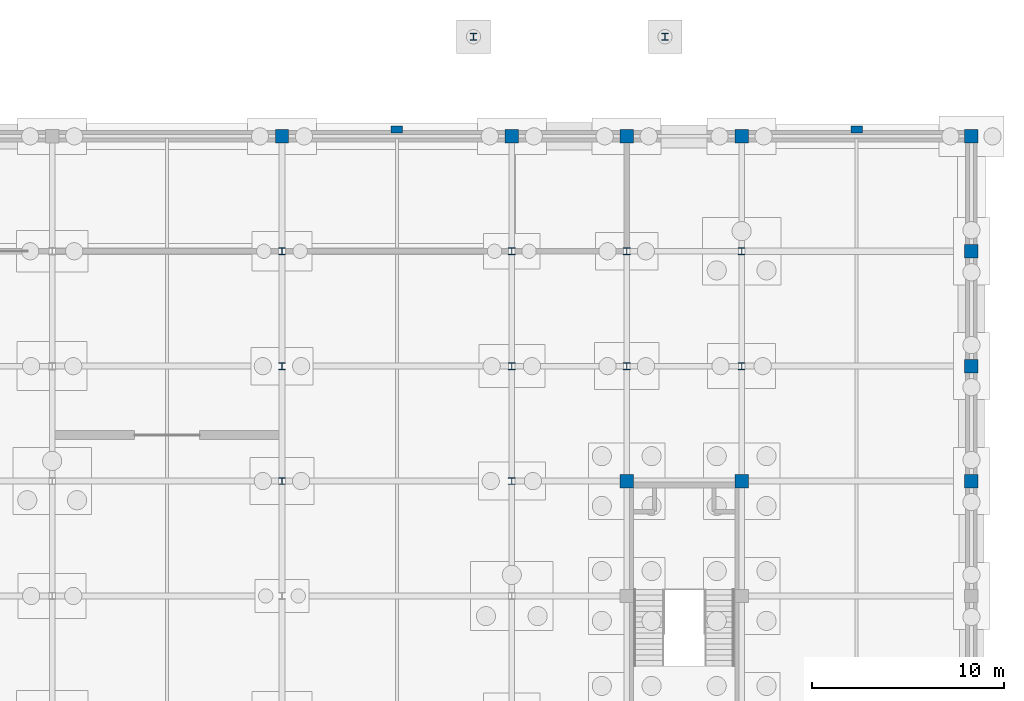
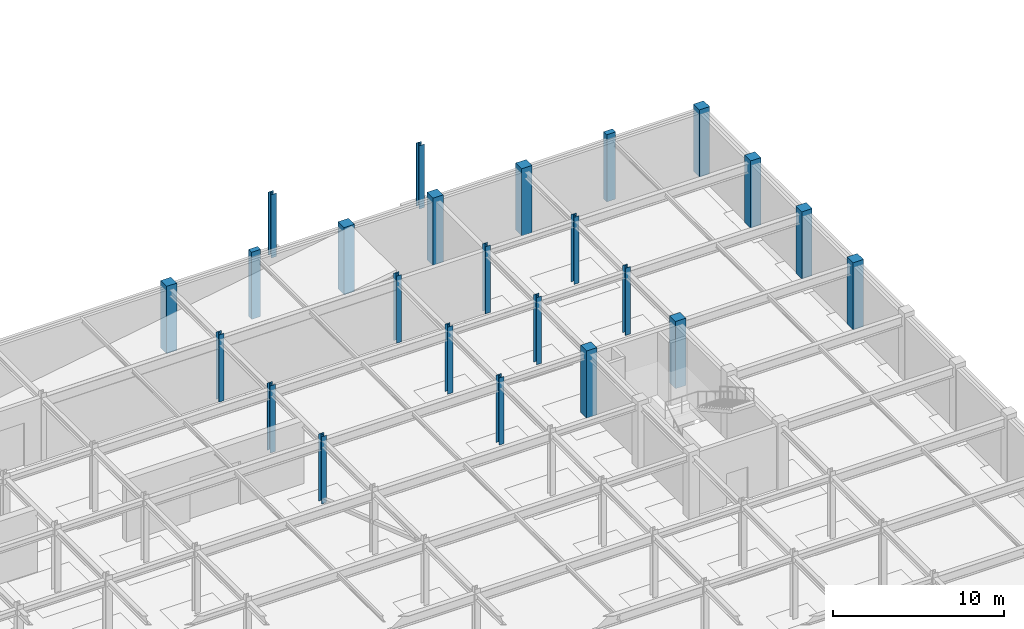
# One storey, part 33 of 69: 24 columns.
"""IFC4 building model written with IfcOpenShell, lengths in metres."""

from ifc_helpers import new_model, si_unit, direction, frame, origin, origin_2d, place, context, subcontext, project, spatial, rectangle, i_section, extrude, material, material_profile, profile_set, type_object, element, save


model = new_model("IFC4")

# Units and contexts
model_context = context("Model", 3, precision=1e-05, world=origin(), true_north=direction((0.0, 1.0)))
body_context = subcontext(model_context, "Body", "Model", "MODEL_VIEW")
ifc_project = project(units=[si_unit("LENGTHUNIT", "METRE"), si_unit("AREAUNIT", "SQUARE_METRE"), si_unit("VOLUMEUNIT", "CUBIC_METRE"), si_unit("PLANEANGLEUNIT", "RADIAN"), si_unit("MASSUNIT", "GRAM", prefix="KILO")], contexts=[model_context])

# Site, building, storey
site_placement = place(None, origin())
site = spatial("IfcSite", under=ifc_project, at=site_placement, CompositionType="ELEMENT")
building_placement = place(site_placement, origin())
building = spatial("IfcBuilding", under=site, at=building_placement, Name="Zlatovratsky Civic Hall", CompositionType="ELEMENT")
storey_placement = place(building_placement, frame((0.0, 0.0, -4.800048828125)))
storey = spatial("IfcBuildingStorey", under=building, at=storey_placement, Name="B1", CompositionType="ELEMENT", Elevation=-4.800048828125)

# Columns
ifc_material_1 = material(Name="Concrete C35/45 (B40)", Category="concrete")
ifc_material_profile_1 = material_profile(ifc_material_1, rectangle(XDim=0.699951171875, YDim=0.699951171875, at=origin_2d()), Name="RC 700x700")
ifc_profile_set_1 = profile_set([ifc_material_profile_1], Name="Concrete C35/45 (B40)")
column_type_1 = type_object("IfcColumnType", Name="Col_CorePier_RC700", PredefinedType="COLUMN", material=ifc_profile_set_1)
for number, where, z_axis, x_axis, name in (
    (1, (150.0, 96.0, 0.0), (0.0, 0.0, 1.0), (1.0, 0.0, 0.0), "CL-0345"),
    (2, (156.0, 96.0, 0.0), (0.0, 0.0, 1.0), (1.0, 0.0, 0.0), "CL-0346"),
    (3, (168.0, 96.0, 0.0), (0.0, 0.0, 1.0), (1.0, 0.0, 0.0), "CL-0347"),
    (4, (168.0, 102.0, 0.0), (0.0, 0.0, 1.0), (1.0, 0.0, 0.0), "CL-0370"),
    (5, (168.0, 108.0, 0.0), (0.0, 0.0, 1.0), (1.0, 0.0, 0.0), "CL-0393"),
    (6, (132.0, 114.0, 0.0), (0.0, 0.0, 1.0), (1.0, 0.0, 0.0), "CL-0412"),
    (7, (144.0, 114.0, 0.0), (0.0, 0.0, 1.0), (1.0, 0.0, 0.0), "CL-0413"),
    (8, (150.0, 114.0, 0.0), (0.0, 0.0, 1.0), (1.0, 0.0, 0.0), "CL-0414"),
    (9, (156.0, 114.0, 0.0), (0.0, 0.0, 1.0), (1.0, 0.0, 0.0), "CL-0415"),
    (10, (168.0, 114.0, 0.0), (0.0, 0.0, 1.0), (1.0, 0.0, 0.0), "CL-0416"),
):
    element("IfcColumn", number, at=place(storey_placement, frame(where, z_axis=z_axis, x_axis=x_axis)), inside=storey, type_object=column_type_1, Name=name, PredefinedType="COLUMN", context=body_context, shape_type="SweptSolid", body=[
        extrude(rectangle(XDim=0.699951171875, YDim=0.699951171875, at=origin_2d()), origin(), (0.0, 0.0, 1.0), 4.800048828125),
    ])
ifc_material_2 = material(Name="Steel S355", Category="steel")
ifc_material_profile_2 = material_profile(ifc_material_2, i_section(OverallWidth=0.35009765625, OverallDepth=0.35009765625, WebThickness=0.011962890625, FlangeThickness=0.01904296875, FilletRadius=0.02001953125, at=origin_2d()), Name="35K2")
ifc_profile_set_2 = profile_set([ifc_material_profile_2], Name="Steel S355")
column_type_2 = type_object("IfcColumnType", Name="Col_Steel_35K2", PredefinedType="COLUMN", material=ifc_profile_set_2)
for number, where, z_axis, x_axis, name in (
    (11, (142.0, 119.199951171875, 0.0), (0.0, 0.0, 1.0), (1.0, 0.0, 0.0), "CL-0001"),
    (12, (152.0, 119.199951171875, 0.0), (0.0, 0.0, 1.0), (1.0, 0.0, 0.0), "CL-0002"),
):
    element("IfcColumn", number, at=place(storey_placement, frame(where, z_axis=z_axis, x_axis=x_axis)), inside=storey, type_object=column_type_2, Name=name, PredefinedType="COLUMN", context=body_context, shape_type="SweptSolid", body=[
        extrude(i_section(OverallWidth=0.35009765625, OverallDepth=0.35009765625, WebThickness=0.011962890625, FlangeThickness=0.01904296875, FilletRadius=0.02001953125, at=origin_2d()), origin(), (0.0, 0.0, 1.0), 4.52001953125),
    ])
for number, where, z_axis, x_axis, name in (
    (13, (132.0, 96.0, 0.0), (0.0, 0.0, 1.0), (1.0, 0.0, 0.0), "CL-0343"),
    (14, (144.0, 96.0, 0.0), (0.0, 0.0, 1.0), (1.0, 0.0, 0.0), "CL-0344"),
    (15, (132.0, 102.0, 0.0), (0.0, 0.0, 1.0), (1.0, 0.0, 0.0), "CL-0366"),
    (16, (144.0, 102.0, 0.0), (0.0, 0.0, 1.0), (1.0, 0.0, 0.0), "CL-0367"),
    (17, (150.0, 102.0, 0.0), (0.0, 0.0, 1.0), (1.0, 0.0, 0.0), "CL-0368"),
    (18, (156.0, 102.0, 0.0), (0.0, 0.0, 1.0), (1.0, 0.0, 0.0), "CL-0369"),
    (19, (132.0, 108.0, 0.0), (0.0, 0.0, 1.0), (1.0, 0.0, 0.0), "CL-0389"),
    (20, (144.0, 108.0, 0.0), (0.0, 0.0, 1.0), (1.0, 0.0, 0.0), "CL-0390"),
    (21, (150.0, 108.0, 0.0), (0.0, 0.0, 1.0), (1.0, 0.0, 0.0), "CL-0391"),
    (22, (156.0, 108.0, 0.0), (0.0, 0.0, 1.0), (1.0, 0.0, 0.0), "CL-0392"),
):
    element("IfcColumn", number, at=place(storey_placement, frame(where, z_axis=z_axis, x_axis=x_axis)), inside=storey, type_object=column_type_2, Name=name, PredefinedType="COLUMN", context=body_context, shape_type="SweptSolid", body=[
        extrude(i_section(OverallWidth=0.35009765625, OverallDepth=0.35009765625, WebThickness=0.011962890625, FlangeThickness=0.01904296875, FilletRadius=0.02001953125, at=origin_2d()), origin(), (0.0, 0.0, 1.0), 4.800048828125),
    ])
ifc_material_profile_3 = material_profile(ifc_material_1, rectangle(XDim=0.60009765625, YDim=0.360107421875, at=origin_2d()), Name="RC 600x360")
ifc_profile_set_3 = profile_set([ifc_material_profile_3], Name="Concrete C35/45 (B40)")
column_type_3 = type_object("IfcColumnType", Name="Pilaster_Classical_RC600x360", PredefinedType="PILASTER", material=ifc_profile_set_3)
for number, where, z_axis, x_axis, name in (
    (23, (138.0, 114.35009765625, 0.0), (0.0, 0.0, 1.0), (1.0, 0.0, 0.0), "CL-2721"),
    (24, (162.0, 114.35009765625, 0.0), (0.0, 0.0, 1.0), (1.0, 0.0, 0.0), "CL-2722"),
):
    element("IfcColumn", number, at=place(storey_placement, frame(where, z_axis=z_axis, x_axis=x_axis)), inside=storey, type_object=column_type_3, Name=name, PredefinedType="PILASTER", context=body_context, shape_type="SweptSolid", body=[
        extrude(rectangle(XDim=0.60009765625, YDim=0.360107421875, at=origin_2d()), origin(), (0.0, 0.0, 1.0), 4.800048828125),
    ])

save(model, "model.ifc")
